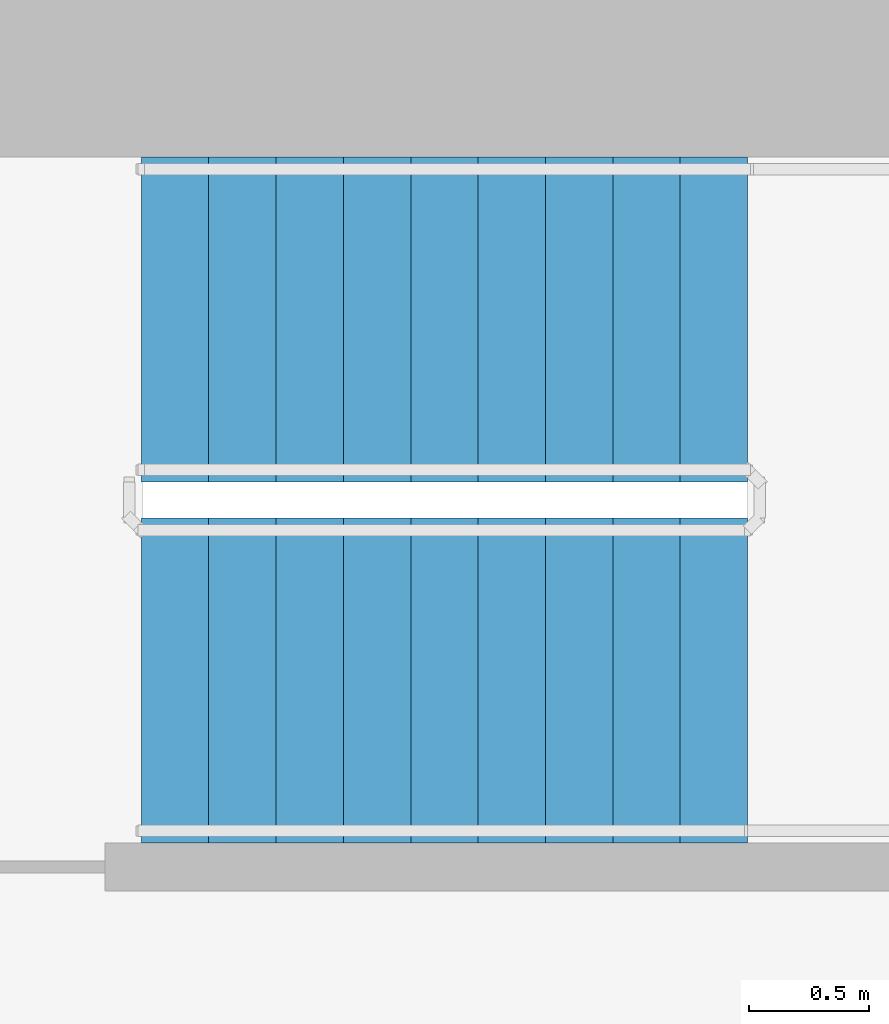
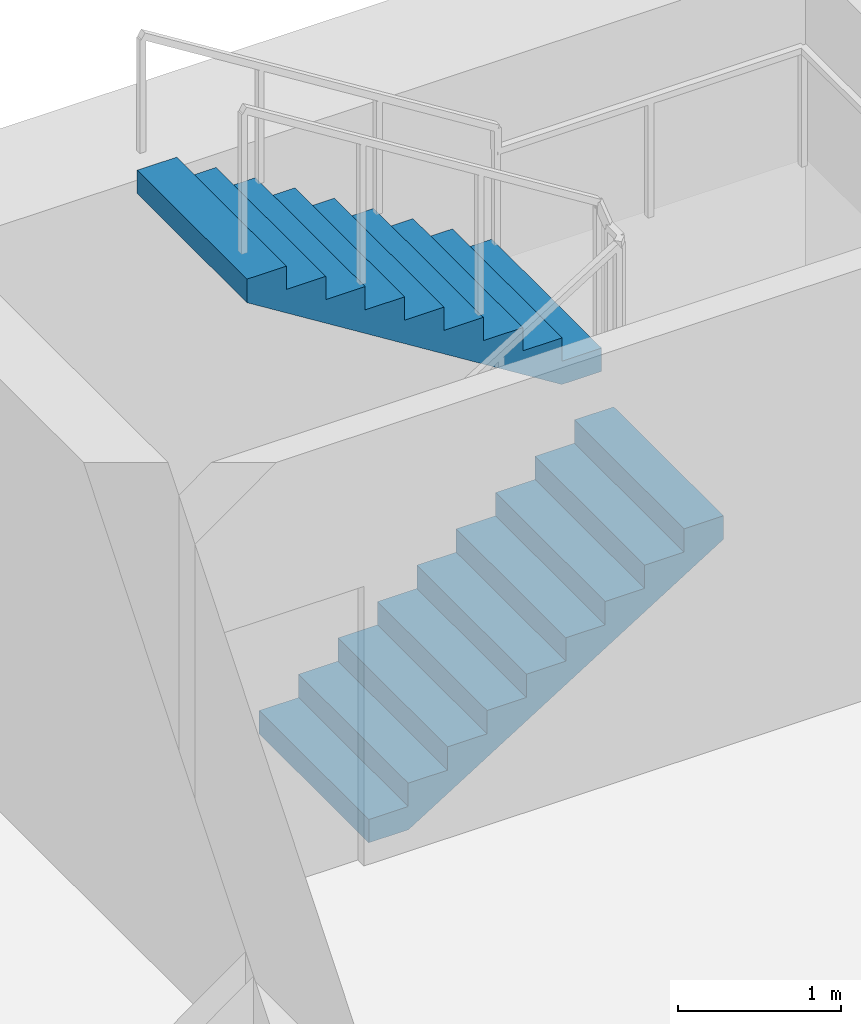
# One storey, part 12 of 16: 2 stair flights, 1 element without a shape of its own.
"""IFC4 building model written with IfcOpenShell, lengths in metres."""

from ifc_helpers import new_model, si_unit, direction, frame, origin, place, context, subcontext, project, spatial, polyline, outline, extrude, material, type_object, element, aggregate, save


model = new_model("IFC4")

# Units and contexts
model_context = context("Model", 3, precision=1e-05, world=origin(), true_north=direction((0.0, 1.0)))
body_context = subcontext(model_context, "Body", "Model", "MODEL_VIEW")
ifc_project = project(units=[si_unit("LENGTHUNIT", "METRE"), si_unit("AREAUNIT", "SQUARE_METRE"), si_unit("VOLUMEUNIT", "CUBIC_METRE"), si_unit("PLANEANGLEUNIT", "RADIAN"), si_unit("MASSUNIT", "GRAM", prefix="KILO")], contexts=[model_context])

# Site, building, storey
site_placement = place(None, origin())
site = spatial("IfcSite", under=ifc_project, at=site_placement, CompositionType="ELEMENT")
building_placement = place(site_placement, origin())
building = spatial("IfcBuilding", under=site, at=building_placement, Name="Perihelion Cross Residences", CompositionType="ELEMENT")
storey_placement = place(building_placement, frame((0.0, 0.0, 253.5)))
storey = spatial("IfcBuildingStorey", under=building, at=storey_placement, Name="L64", CompositionType="ELEMENT", Elevation=253.5)

# Stair, stair flights
ifc_material_1 = material(Name="Concrete C40/50", Category="concrete")
stair_type = type_object("IfcStairType", Name="Exit stair, half-turn", PredefinedType="HALF_TURN_STAIR", material=ifc_material_1)
stair_placement = place(storey_placement, origin())
stair = element("IfcStair", 1, at=stair_placement, inside=storey, type_object=stair_type, Name="L64 East core exit stair 1", PredefinedType="HALF_TURN_STAIR")
ifc_material_2 = material(Name="Concrete C40/50", Category="concrete")
stair_flight_type = type_object("IfcStairFlightType", Name="Exit stair flight", PredefinedType="STRAIGHT", material=ifc_material_2)
stair_flight_1_placement = place(storey_placement, frame((23.39990234375, 5.925048828125, 0.0), z_axis=(0.0, 0.0, 1.0), x_axis=(1.0, 0.0, 0.0)))
stair_flight_1 = element("IfcStairFlight", 2, at=stair_flight_1_placement, type_object=stair_flight_type, Name="ST-E1 flight 1", NumberOfRisers=10, NumberOfTreads=9, PredefinedType="STRAIGHT", RiserHeight=0.175, TreadLength=0.28, context=body_context, shape_type="SweptSolid", body=[
    extrude(outline(polyline([(0.0, 0.0), (0.0, 0.175048828125), (0.280029296875, 0.175048828125), (0.280029296875, 0.35009765625), (0.56005859375, 0.35009765625), (0.56005859375, 0.52490234375), (0.840087890625, 0.52490234375), (0.840087890625, 0.699951171875), (1.1201171875, 0.699951171875), (1.1201171875, 0.875), (1.39990234375, 0.875), (1.39990234375, 1.050048828125), (1.679931640625, 1.050048828125), (1.679931640625, 1.22509765625), (1.9599609375, 1.22509765625), (1.9599609375, 1.39990234375), (2.239990234375, 1.39990234375), (2.239990234375, 1.574951171875), (2.52001953125, 1.574951171875), (2.52001953125, 1.75), (2.52001953125, 1.398193359375), (0.28271484375, 0.0), (0.0, 0.0)])), frame((0.0, 0.675048828125, 0.0), z_axis=(0.0, -1.0, 0.0), x_axis=(1.0, 0.0, 0.0)), (0.0, 0.0, 1.0), 1.35009765625),
])
stair_flight_2_placement = place(storey_placement, frame((25.919921875, 7.425048828125, 1.75), z_axis=(0.0, 0.0, 1.0), x_axis=(-1.0, 0.0, 0.0)))
stair_flight_2 = element("IfcStairFlight", 3, at=stair_flight_2_placement, type_object=stair_flight_type, Name="ST-E1 flight 2", NumberOfRisers=10, NumberOfTreads=9, PredefinedType="STRAIGHT", RiserHeight=0.175, TreadLength=0.28, context=body_context, shape_type="SweptSolid", body=[
    extrude(outline(polyline([(0.0, 0.0), (0.0, 0.175048828125), (0.280029296875, 0.175048828125), (0.280029296875, 0.35009765625), (0.56005859375, 0.35009765625), (0.56005859375, 0.52490234375), (0.840087890625, 0.52490234375), (0.840087890625, 0.699951171875), (1.1201171875, 0.699951171875), (1.1201171875, 0.875), (1.39990234375, 0.875), (1.39990234375, 1.050048828125), (1.679931640625, 1.050048828125), (1.679931640625, 1.22509765625), (1.9599609375, 1.22509765625), (1.9599609375, 1.39990234375), (2.239990234375, 1.39990234375), (2.239990234375, 1.574951171875), (2.52001953125, 1.574951171875), (2.52001953125, 1.75), (2.52001953125, 1.398193359375), (0.28271484375, 0.0), (0.0, 0.0)])), frame((0.0, 0.675048828125, 0.0), z_axis=(0.0, -1.0, 0.0), x_axis=(1.0, 0.0, 0.0)), (0.0, 0.0, 1.0), 1.35009765625),
])
aggregate(stair, [stair_flight_1, stair_flight_2])

save(model, "model.ifc")
